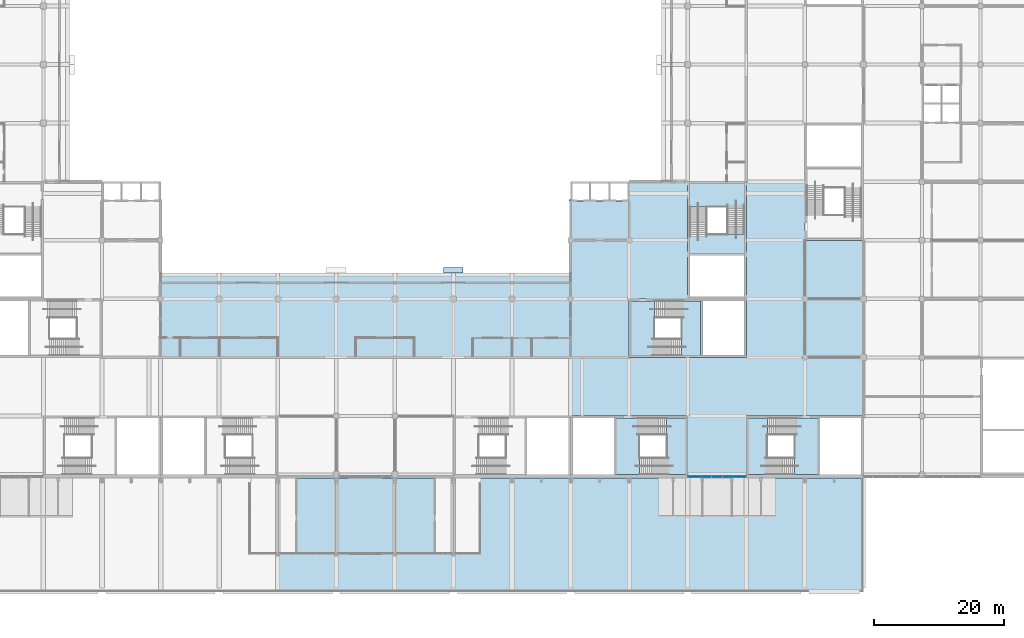
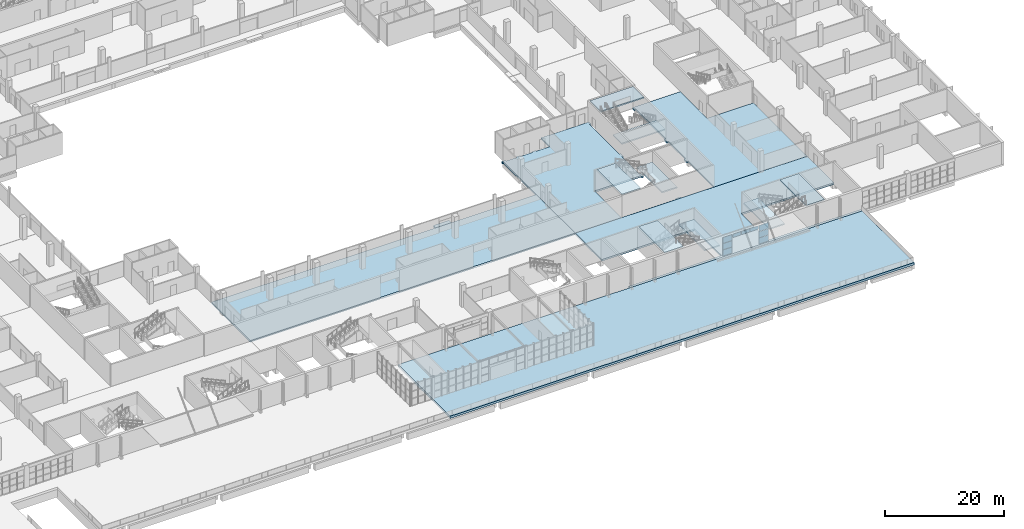
# One storey, part 84 of 168: 13 slabs, 9 plates, 7 elements without a shape of their own.
"""IFC4 building model written with IfcOpenShell, lengths in metres."""

from ifc_helpers import new_model, si_unit, direction, frame, origin, origin_2d, place, context, subcontext, project, spatial, polyline, rectangle, outline, extrude, material, layer, layer_set, type_object, element, aggregate, save


model = new_model("IFC4")

# Units and contexts
model_context = context("Model", 3, precision=1e-05, world=origin(), true_north=direction((0.0, 1.0)))
body_context = subcontext(model_context, "Body", "Model", "MODEL_VIEW")
ifc_project = project(units=[si_unit("LENGTHUNIT", "METRE"), si_unit("AREAUNIT", "SQUARE_METRE"), si_unit("VOLUMEUNIT", "CUBIC_METRE"), si_unit("PLANEANGLEUNIT", "RADIAN"), si_unit("MASSUNIT", "GRAM", prefix="KILO")], contexts=[model_context])

# Site, building, storey
site_placement = place(None, origin())
site = spatial("IfcSite", under=ifc_project, at=site_placement, CompositionType="ELEMENT")
building_placement = place(site_placement, origin())
building = spatial("IfcBuilding", under=site, at=building_placement, Name="Silverbay Arena", CompositionType="ELEMENT")
storey_placement = place(building_placement, frame((0.0, 0.0, 7.0)))
storey = spatial("IfcBuildingStorey", under=building, at=storey_placement, Name="L01", CompositionType="ELEMENT", Elevation=7.0)

# Curtain wall, plates
ifc_material_1 = material(Name="Aluminium framed curtain wall", Category="aluminium")
curtain_wall_type_1 = type_object("IfcCurtainWallType", Name="Curtain wall 1950 x 3900", PredefinedType="NOTDEFINED", material=ifc_material_1)
curtain_wall_1_placement = place(storey_placement, origin())
curtain_wall_1 = element("IfcCurtainWall", 1, at=curtain_wall_1_placement, inside=storey, type_object=curtain_wall_type_1, Name="South curtain wall L01 bay 18", PredefinedType="NOTDEFINED")
ifc_material_2 = material(Name="Laminated glass", Category="glass")
ifc_layer_1 = layer(ifc_material_2, 0.028076171875)
ifc_layer_set_1 = layer_set([ifc_layer_1], Name="Laminated glass")
plate_type = type_object("IfcPlateType", Name="Glass panel 28", PredefinedType="CURTAIN_PANEL", material=ifc_layer_set_1)
plate_1_placement = place(storey_placement, frame((180.97509765625, 17.669921875, 0.050048828125), z_axis=(0.0, 0.0, 1.0), x_axis=(1.0, 0.0, 0.0)))
plate_1 = element("IfcPlate", 2, at=plate_1_placement, type_object=plate_type, Name="CW2 panel 1.1", PredefinedType="CURTAIN_PANEL", context=body_context, shape_type="SweptSolid", body=[
    extrude(rectangle(XDim=1.830078125, YDim=0.028076171875, at=origin_2d()), origin(), (0.0, 0.0, 1.0), 1.22509765625),
])
plate_2_placement = place(storey_placement, frame((180.97509765625, 17.669921875, 1.324951171875), z_axis=(0.0, 0.0, 1.0), x_axis=(1.0, 0.0, 0.0)))
plate_2 = element("IfcPlate", 3, at=plate_2_placement, type_object=plate_type, Name="CW2 panel 1.2", PredefinedType="CURTAIN_PANEL", context=body_context, shape_type="SweptSolid", body=[
    extrude(rectangle(XDim=1.830078125, YDim=0.028076171875, at=origin_2d()), origin(), (0.0, 0.0, 1.0), 1.25),
])
plate_3_placement = place(storey_placement, frame((180.97509765625, 17.669921875, 2.625), z_axis=(0.0, 0.0, 1.0), x_axis=(1.0, 0.0, 0.0)))
plate_3 = element("IfcPlate", 4, at=plate_3_placement, type_object=plate_type, Name="CW2 panel 1.3", PredefinedType="CURTAIN_PANEL", context=body_context, shape_type="SweptSolid", body=[
    extrude(rectangle(XDim=1.830078125, YDim=0.028076171875, at=origin_2d()), origin(), (0.0, 0.0, 1.0), 1.22509765625),
])
aggregate(curtain_wall_1, [plate_1, plate_2, plate_3])

curtain_wall_2_placement = place(storey_placement, origin())
curtain_wall_2 = element("IfcCurtainWall", 5, at=curtain_wall_2_placement, inside=storey, type_object=curtain_wall_type_1, Name="South curtain wall L01 bay 18", PredefinedType="NOTDEFINED")
plate_4_placement = place(storey_placement, frame((188.02490234375, 17.669921875, 0.050048828125), z_axis=(0.0, 0.0, 1.0), x_axis=(1.0, 0.0, 0.0)))
plate_4 = element("IfcPlate", 6, at=plate_4_placement, type_object=plate_type, Name="CW2 panel 1.1", PredefinedType="CURTAIN_PANEL", context=body_context, shape_type="SweptSolid", body=[
    extrude(rectangle(XDim=1.830078125, YDim=0.028076171875, at=origin_2d()), origin(), (0.0, 0.0, 1.0), 1.22509765625),
])
plate_5_placement = place(storey_placement, frame((188.02490234375, 17.669921875, 1.324951171875), z_axis=(0.0, 0.0, 1.0), x_axis=(1.0, 0.0, 0.0)))
plate_5 = element("IfcPlate", 7, at=plate_5_placement, type_object=plate_type, Name="CW2 panel 1.2", PredefinedType="CURTAIN_PANEL", context=body_context, shape_type="SweptSolid", body=[
    extrude(rectangle(XDim=1.830078125, YDim=0.028076171875, at=origin_2d()), origin(), (0.0, 0.0, 1.0), 1.25),
])
plate_6_placement = place(storey_placement, frame((188.02490234375, 17.669921875, 2.625), z_axis=(0.0, 0.0, 1.0), x_axis=(1.0, 0.0, 0.0)))
plate_6 = element("IfcPlate", 8, at=plate_6_placement, type_object=plate_type, Name="CW2 panel 1.3", PredefinedType="CURTAIN_PANEL", context=body_context, shape_type="SweptSolid", body=[
    extrude(rectangle(XDim=1.830078125, YDim=0.028076171875, at=origin_2d()), origin(), (0.0, 0.0, 1.0), 1.22509765625),
])
aggregate(curtain_wall_2, [plate_4, plate_5, plate_6])

ifc_material_3 = material(Name="Aluminium framed curtain wall", Category="aluminium")
curtain_wall_type_2 = type_object("IfcCurtainWallType", Name="Curtain wall 5100 x 800", PredefinedType="NOTDEFINED", material=ifc_material_3)
curtain_wall_3_placement = place(storey_placement, origin())
curtain_wall_3 = element("IfcCurtainWall", 9, at=curtain_wall_3_placement, inside=storey, type_object=curtain_wall_type_2, Name="South curtain wall L01 bay 18", PredefinedType="NOTDEFINED")
plate_7_placement = place(storey_placement, frame((182.81494140625, 17.669921875, 3.14990234375), z_axis=(0.0, 0.0, 1.0), x_axis=(1.0, 0.0, 0.0)))
plate_7 = element("IfcPlate", 10, at=plate_7_placement, type_object=plate_type, Name="CW3 panel 1.1", PredefinedType="CURTAIN_PANEL", context=body_context, shape_type="SweptSolid", body=[
    extrude(rectangle(XDim=1.610107421875, YDim=0.028076171875, at=origin_2d()), origin(), (0.0, 0.0, 1.0), 0.699951171875),
])
plate_8_placement = place(storey_placement, frame((184.5, 17.669921875, 3.14990234375), z_axis=(0.0, 0.0, 1.0), x_axis=(1.0, 0.0, 0.0)))
plate_8 = element("IfcPlate", 11, at=plate_8_placement, type_object=plate_type, Name="CW3 panel 2.1", PredefinedType="CURTAIN_PANEL", context=body_context, shape_type="SweptSolid", body=[
    extrude(rectangle(XDim=1.639892578125, YDim=0.028076171875, at=origin_2d()), origin(), (0.0, 0.0, 1.0), 0.699951171875),
])
plate_9_placement = place(storey_placement, frame((186.18505859375, 17.669921875, 3.14990234375), z_axis=(0.0, 0.0, 1.0), x_axis=(1.0, 0.0, 0.0)))
plate_9 = element("IfcPlate", 12, at=plate_9_placement, type_object=plate_type, Name="CW3 panel 3.1", PredefinedType="CURTAIN_PANEL", context=body_context, shape_type="SweptSolid", body=[
    extrude(rectangle(XDim=1.610107421875, YDim=0.028076171875, at=origin_2d()), origin(), (0.0, 0.0, 1.0), 0.699951171875),
])
aggregate(curtain_wall_3, [plate_7, plate_8, plate_9])

# Slabs
ifc_material_4 = material(Name="Concrete Grade C45", Category="concrete")
ifc_layer_2 = layer(ifc_material_4, 0.35009765625)
ifc_layer_set_2 = layer_set([ifc_layer_2], Name="Concrete Grade C45")
slab_type_1 = type_object("IfcSlabType", Name="RC floor slab 350", PredefinedType="FLOOR", material=ifc_layer_set_2)
slab_1_placement = place(storey_placement, frame((0.0, 0.0, -0.35009765625)))
element("IfcSlab", 13, at=slab_1_placement, inside=storey, type_object=slab_type_1, Name="Floor slab L01 unit 4", PredefinedType="FLOOR", context=body_context, shape_type="SweptSolid", body=[
    extrude(outline(polyline([(207.0, 35.97509765625), (207.0, 27.0), (189.0, 27.0), (189.0, 18.0), (207.0, 18.0), (207.0, 17.5), (162.0, 17.5), (162.0, 18.0), (180.0, 18.0), (180.0, 27.0), (162.0, 27.0), (162.0, 35.97509765625), (207.0, 35.97509765625)])), origin(), (0.0, 0.0, 1.0), 0.35009765625),
])
slab_2_placement = place(storey_placement, frame((0.0, 0.0, -0.35009765625)))
element("IfcSlab", 14, at=slab_2_placement, inside=storey, type_object=slab_type_1, Name="Floor slab L01 unit 8", PredefinedType="FLOOR", context=body_context, shape_type="SweptSolid", body=[
    extrude(outline(polyline([(99.0, 35.97509765625), (99.0, 49.0), (162.0, 49.0), (162.0, 35.97509765625), (99.0, 35.97509765625)])), origin(), (0.0, 0.0, 1.0), 0.35009765625),
])
slab_3_placement = place(storey_placement, frame((0.0, 0.0, -0.35009765625)))
element("IfcSlab", 15, at=slab_3_placement, inside=storey, type_object=slab_type_1, Name="Floor slab L01 unit 9", PredefinedType="FLOOR", context=body_context, shape_type="SweptSolid", body=[
    extrude(outline(polyline([(180.300048828125, 45.60009765625), (180.300048828125, 44.699951171875), (180.0, 44.699951171875), (180.0, 45.0), (171.0, 45.0), (171.0, 36.0), (181.699951171875, 36.0), (181.699951171875, 36.300048828125), (182.60009765625, 36.300048828125), (182.60009765625, 36.0), (189.0, 36.0), (189.0, 44.699951171875), (188.699951171875, 44.699951171875), (188.699951171875, 45.60009765625), (189.0, 45.60009765625), (189.0, 51.39990234375), (188.699951171875, 51.39990234375), (188.699951171875, 52.300048828125), (189.0, 52.300048828125), (189.0, 62.39990234375), (188.699951171875, 62.39990234375), (188.699951171875, 63.0), (189.0, 63.0), (189.0, 62.97509765625), (198.0, 62.97509765625), (198.0, 54.0), (207.0, 54.0), (207.0, 35.97509765625), (162.0, 35.97509765625), (162.0, 60.0), (161.75, 60.0), (161.75, 60.25), (162.5, 60.25), (162.5, 60.0), (164.64990234375, 60.0), (164.64990234375, 60.25), (165.35009765625, 60.25), (165.35009765625, 60.0), (167.64990234375, 60.0), (167.64990234375, 60.25), (168.35009765625, 60.25), (168.35009765625, 60.0), (171.0, 60.0), (171.0, 62.97509765625), (180.0, 62.97509765625), (180.0, 63.0), (180.300048828125, 63.0), (180.300048828125, 62.39990234375), (180.0, 62.39990234375), (180.0, 52.300048828125), (180.300048828125, 52.300048828125), (180.300048828125, 51.39990234375), (180.0, 51.39990234375), (180.0, 45.60009765625), (180.300048828125, 45.60009765625)])), origin(), (0.0, 0.0, 1.0), 0.35009765625),
])
ifc_material_5 = material(Name="Concrete Grade C45", Category="concrete")
ifc_layer_3 = layer(ifc_material_5, 0.449951171875)
ifc_layer_set_3 = layer_set([ifc_layer_3], Name="Concrete Grade C45")
slab_type_2 = type_object("IfcSlabType", Name="RC plaza deck slab 450", PredefinedType="FLOOR", material=ifc_layer_set_3)
slab_4_placement = place(storey_placement, frame((0.0, 0.0, -0.449951171875)))
element("IfcSlab", 16, at=slab_4_placement, inside=storey, type_object=slab_type_2, Name="Floor slab L01 unit 2", PredefinedType="FLOOR", context=body_context, shape_type="SweptSolid", body=[
    extrude(outline(polyline([(117.0, 17.5), (207.0, 17.5), (207.0, 0.0), (117.0, 0.0), (117.0, 17.5)])), origin(), (0.0, 0.0, 1.0), 0.449951171875),
])

# Stair, slabs
ifc_material_6 = material(Name="Concrete Grade C45", Category="concrete")
stair_type = type_object("IfcStairType", Name="Stair 2600 wide 32 risers 140.6 x 300", PredefinedType="HALF_TURN_STAIR", material=ifc_material_6)
stair_1_placement = place(storey_placement, origin())
stair_1 = element("IfcStair", 17, at=stair_1_placement, inside=storey, type_object=stair_type, Name="Stair ST-S4 L01 to L02", PredefinedType="HALF_TURN_STAIR")
ifc_material_7 = material(Name="Concrete Grade C45", Category="concrete")
ifc_layer_4 = layer(ifc_material_7, 0.25)
ifc_layer_set_4 = layer_set([ifc_layer_4], Name="Concrete Grade C45")
slab_type_3 = type_object("IfcSlabType", Name="Stair landing RC 250", PredefinedType="LANDING", material=ifc_layer_set_4)
slab_5_placement = place(storey_placement, frame((0.0, 0.0, 2.0)))
slab_5 = element("IfcSlab", 18, at=slab_5_placement, type_object=slab_type_3, Name="Stair ST-S4 L01 to L02 landing 1", PredefinedType="LANDING", context=body_context, shape_type="SweptSolid", body=[
    extrude(outline(polyline([(176.74658203125, 26.699951171875), (179.699951171875, 26.699951171875), (179.699951171875, 18.0), (176.74658203125, 18.0), (176.74658203125, 26.699951171875)])), origin(), (0.0, 0.0, 1.0), 0.25),
])
slab_6_placement = place(storey_placement, frame((0.0, 0.0, 4.25)))
slab_6 = element("IfcSlab", 19, at=slab_6_placement, type_object=slab_type_3, Name="Stair ST-S4 L01 to L02 landing 2", PredefinedType="LANDING", context=body_context, shape_type="SweptSolid", body=[
    extrude(outline(polyline([(169.0, 26.699951171875), (172.60009765625, 26.699951171875), (172.60009765625, 18.0), (169.0, 18.0), (169.0, 26.699951171875)])), origin(), (0.0, 0.0, 1.0), 0.25),
])
aggregate(stair_1, [slab_5, slab_6])

stair_2_placement = place(storey_placement, origin())
stair_2 = element("IfcStair", 20, at=stair_2_placement, inside=storey, type_object=stair_type, Name="Stair ST-S6 L01 to L02", PredefinedType="HALF_TURN_STAIR")
slab_7_placement = place(storey_placement, frame((0.0, 0.0, 2.0)))
slab_7 = element("IfcSlab", 21, at=slab_7_placement, type_object=slab_type_3, Name="Stair ST-S6 L01 to L02 landing 1", PredefinedType="LANDING", context=body_context, shape_type="SweptSolid", body=[
    extrude(outline(polyline([(192.25341796875, 26.699951171875), (189.300048828125, 26.699951171875), (189.300048828125, 18.0), (192.25341796875, 18.0), (192.25341796875, 26.699951171875)])), origin(), (0.0, 0.0, 1.0), 0.25),
])
slab_8_placement = place(storey_placement, frame((0.0, 0.0, 4.25)))
slab_8 = element("IfcSlab", 22, at=slab_8_placement, type_object=slab_type_3, Name="Stair ST-S6 L01 to L02 landing 2", PredefinedType="LANDING", context=body_context, shape_type="SweptSolid", body=[
    extrude(outline(polyline([(200.0, 26.699951171875), (196.39990234375, 26.699951171875), (196.39990234375, 18.0), (200.0, 18.0), (200.0, 26.699951171875)])), origin(), (0.0, 0.0, 1.0), 0.25),
])
aggregate(stair_2, [slab_7, slab_8])

stair_3_placement = place(storey_placement, origin())
stair_3 = element("IfcStair", 23, at=stair_3_placement, inside=storey, type_object=stair_type, Name="Stair ST-SE1 L01 to L02", PredefinedType="HALF_TURN_STAIR")
slab_9_placement = place(storey_placement, frame((0.0, 0.0, 2.0)))
slab_9 = element("IfcSlab", 24, at=slab_9_placement, type_object=slab_type_3, Name="Stair ST-SE1 L01 to L02 landing 1", PredefinedType="LANDING", context=body_context, shape_type="SweptSolid", body=[
    extrude(outline(polyline([(179.046630859375, 44.699951171875), (182.0, 44.699951171875), (182.0, 36.300048828125), (179.046630859375, 36.300048828125), (179.046630859375, 44.699951171875)])), origin(), (0.0, 0.0, 1.0), 0.25),
])
slab_10_placement = place(storey_placement, frame((0.0, 0.0, 4.25)))
slab_10 = element("IfcSlab", 25, at=slab_10_placement, type_object=slab_type_3, Name="Stair ST-SE1 L01 to L02 landing 2", PredefinedType="LANDING", context=body_context, shape_type="SweptSolid", body=[
    extrude(outline(polyline([(171.300048828125, 44.699951171875), (174.89990234375, 44.699951171875), (174.89990234375, 36.300048828125), (171.300048828125, 36.300048828125), (171.300048828125, 44.699951171875)])), origin(), (0.0, 0.0, 1.0), 0.25),
])
aggregate(stair_3, [slab_9, slab_10])

stair_4_placement = place(storey_placement, origin())
stair_4 = element("IfcStair", 26, at=stair_4_placement, inside=storey, type_object=stair_type, Name="Stair ST-SE2 L01 to L02", PredefinedType="HALF_TURN_STAIR")
slab_11_placement = place(storey_placement, frame((0.0, 0.0, 2.0)))
slab_11 = element("IfcSlab", 27, at=slab_11_placement, type_object=slab_type_3, Name="Stair ST-SE2 L01 to L02 landing 1", PredefinedType="LANDING", context=body_context, shape_type="SweptSolid", body=[
    extrude(outline(polyline([(180.300048828125, 54.953369140625), (180.300048828125, 52.0), (188.699951171875, 52.0), (188.699951171875, 54.953369140625), (180.300048828125, 54.953369140625)])), origin(), (0.0, 0.0, 1.0), 0.25),
])
slab_12_placement = place(storey_placement, frame((0.0, 0.0, 4.25)))
slab_12 = element("IfcSlab", 28, at=slab_12_placement, type_object=slab_type_3, Name="Stair ST-SE2 L01 to L02 landing 2", PredefinedType="LANDING", context=body_context, shape_type="SweptSolid", body=[
    extrude(outline(polyline([(180.300048828125, 62.699951171875), (180.300048828125, 59.10009765625), (188.699951171875, 59.10009765625), (188.699951171875, 62.699951171875), (180.300048828125, 62.699951171875)])), origin(), (0.0, 0.0, 1.0), 0.25),
])
aggregate(stair_4, [slab_11, slab_12])

# Slab
ifc_material_8 = material(Name="Concrete Grade C45", Category="concrete")
ifc_layer_5 = layer(ifc_material_8, 0.300048828125)
ifc_layer_set_5 = layer_set([ifc_layer_5], Name="Concrete Grade C45")
slab_type_4 = type_object("IfcSlabType", Name="Vomitory head slab RC 300", PredefinedType="FLOOR", material=ifc_layer_set_5)
slab_13_placement = place(storey_placement, frame((0.0, 0.0, -0.300048828125)))
element("IfcSlab", 29, at=slab_13_placement, inside=storey, type_object=slab_type_4, Name="Vomitory head slab V02", PredefinedType="FLOOR", context=body_context, shape_type="SweptSolid", body=[
    extrude(outline(polyline([(142.5, 49.0), (145.5, 49.0), (145.5, 49.800048828125), (142.5, 49.800048828125), (142.5, 49.0)])), origin(), (0.0, 0.0, 1.0), 0.300048828125),
])

save(model, "model.ifc")
